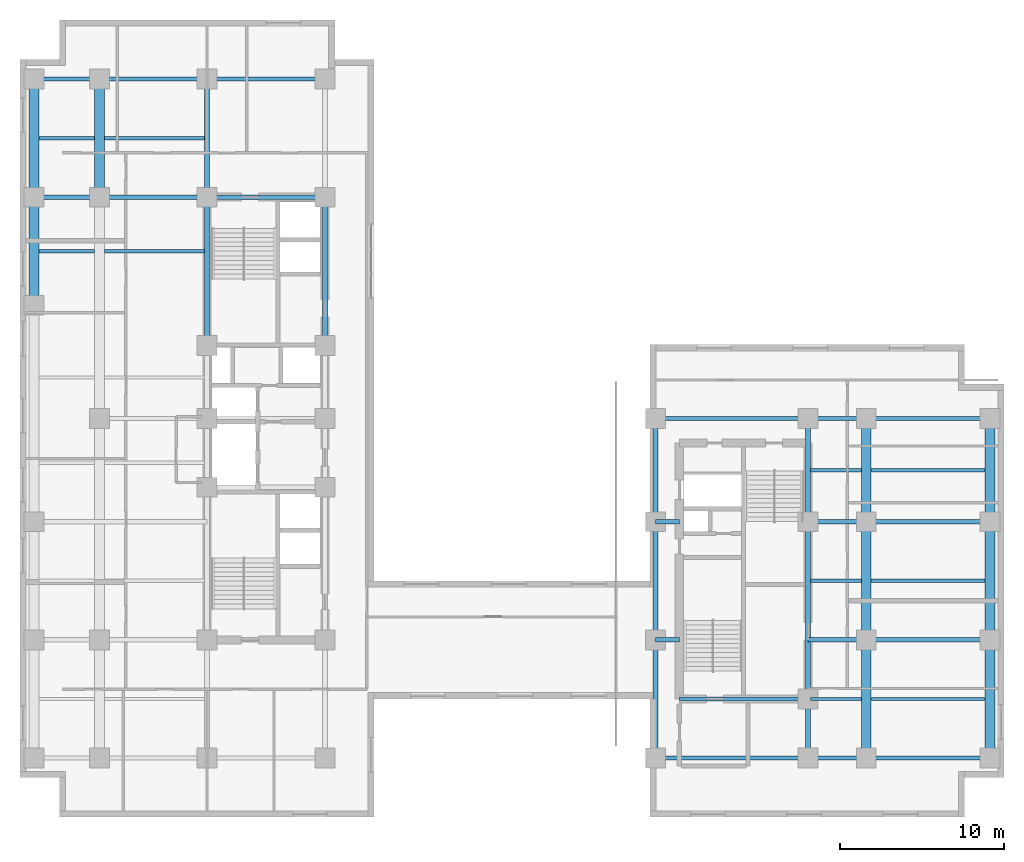
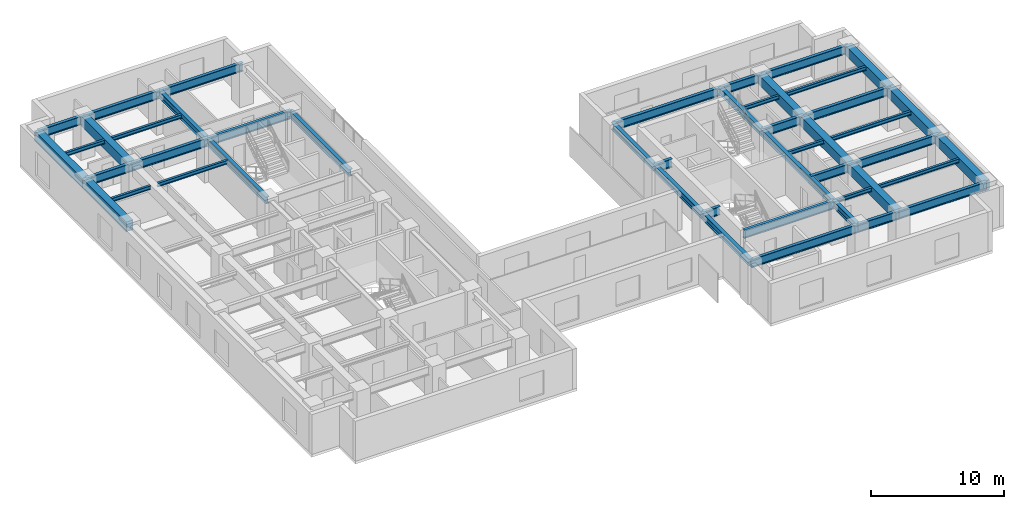
# One storey, part 3 of 11: 47 beams.
"""IFC4 building model written with IfcOpenShell, lengths in metres."""

from ifc_helpers import new_model, entity, si_unit, converted_unit, direction, frame, origin_with_axes, origin_2d_with_axis, place, context, subcontext, project, spatial, rectangle, i_section, extrude, material, material_profile, profile_set, type_object, element, save


model = new_model("IFC4")

# Units and contexts
model_context = context("Model", 3, precision=1e-05, world=origin_with_axes(), true_north=direction((0.0, 1.0)))
body_context = subcontext(model_context, "Body", "Model", "MODEL_VIEW")
ifc_project = project(units=[si_unit("LENGTHUNIT", "METRE"), si_unit("AREAUNIT", "SQUARE_METRE"), si_unit("VOLUMEUNIT", "CUBIC_METRE"), converted_unit("PLANEANGLEUNIT", "DEGREE", entity("IfcPlaneAngleMeasure", 0.017453292519943295), si_unit("PLANEANGLEUNIT", "RADIAN"), dimensions=[0, 0, 0, 0, 0, 0, 0]), si_unit("MASSUNIT", "GRAM", prefix="KILO"), si_unit("THERMODYNAMICTEMPERATUREUNIT", "KELVIN")], contexts=[model_context])

# Site, building, storey
site_placement = place(None, origin_with_axes())
site = spatial("IfcSite", under=ifc_project, at=site_placement, CompositionType="ELEMENT")
building_placement = place(site_placement, origin_with_axes())
building = spatial("IfcBuilding", under=site, at=building_placement, Name="Varnlund Millrace Tower", CompositionType="ELEMENT")
storey_placement = place(building_placement, frame((0.0, 0.0, 104.7), z_axis=(0.0, 0.0, 1.0), x_axis=(1.0, 0.0, 0.0)))
storey = spatial("IfcBuildingStorey", under=building, at=storey_placement, Name="L25", CompositionType="ELEMENT", Elevation=104.7)

# Beams
ifc_material_1 = material(Name="Steel ASTM A992 Grade 50", Category="steel")
ifc_material_profile_1 = material_profile(ifc_material_1, i_section(OverallWidth=0.328, OverallDepth=0.628, WebThickness=0.0165, FlangeThickness=0.0277, FilletRadius=0.018, at=origin_2d_with_axis()), Name="Steel ASTM A992 Grade 50")
ifc_profile_set_1 = profile_set([ifc_material_profile_1], Name="Steel ASTM A992 Grade 50")
beam_type_1 = type_object("IfcBeamType", Name="Type-Girder-W24X146", PredefinedType="USERDEFINED", material=ifc_profile_set_1)
beam_1_placement = place(storey_placement, frame((11.4, 28.75, 3.346), z_axis=(0.0, 1.0, 0.0), x_axis=(-1.0, 0.0, 0.0)))
element("IfcBeam", 1, at=beam_1_placement, inside=storey, type_object=beam_type_1, Name="Type-Girder-W24X146", ObjectType="GIRDER", PredefinedType="USERDEFINED", context=body_context, shape_type="SweptSolid", body=[
    extrude(i_section(OverallWidth=0.328, OverallDepth=0.628, WebThickness=0.0165, FlangeThickness=0.0277, FilletRadius=0.018, at=origin_2d_with_axis()), origin_with_axes(), (0.0, 0.0, 1.0), 9.05),
])
beam_2_placement = place(storey_placement, frame((11.4, 37.8, 3.346), z_axis=(0.0, 1.0, 0.0), x_axis=(-1.0, 0.0, 0.0)))
element("IfcBeam", 2, at=beam_2_placement, inside=storey, type_object=beam_type_1, Name="Type-Girder-W24X146", ObjectType="GIRDER", PredefinedType="USERDEFINED", context=body_context, shape_type="SweptSolid", body=[
    extrude(i_section(OverallWidth=0.328, OverallDepth=0.628, WebThickness=0.0165, FlangeThickness=0.0277, FilletRadius=0.018, at=origin_2d_with_axis()), origin_with_axes(), (0.0, 0.0, 1.0), 7.2),
])
beam_3_placement = place(storey_placement, frame((18.6, 28.75, 3.346), z_axis=(0.0, 1.0, 0.0), x_axis=(-1.0, 0.0, 0.0)))
element("IfcBeam", 3, at=beam_3_placement, inside=storey, type_object=beam_type_1, Name="Type-Girder-W24X146", ObjectType="GIRDER", PredefinedType="USERDEFINED", context=body_context, shape_type="SweptSolid", body=[
    extrude(i_section(OverallWidth=0.328, OverallDepth=0.628, WebThickness=0.0165, FlangeThickness=0.0277, FilletRadius=0.018, at=origin_2d_with_axis()), origin_with_axes(), (0.0, 0.0, 1.0), 9.05),
])
for number, where, z_axis, x_axis, name in (
    (4, (38.75, 3.6, 3.346), (0.0, 1.0, 0.0), (-1.0, 0.0, 0.0), "Type-Girder-W24X146"),
    (5, (38.75, 10.8, 3.346), (0.0, 1.0, 0.0), (-1.0, 0.0, 0.0), "Type-Girder-W24X146"),
):
    element("IfcBeam", number, at=place(storey_placement, frame(where, z_axis=z_axis, x_axis=x_axis)), inside=storey, type_object=beam_type_1, Name=name, ObjectType="GIRDER", PredefinedType="USERDEFINED", context=body_context, shape_type="SweptSolid", body=[
        extrude(i_section(OverallWidth=0.328, OverallDepth=0.628, WebThickness=0.0165, FlangeThickness=0.0277, FilletRadius=0.018, at=origin_2d_with_axis()), origin_with_axes(), (0.0, 0.0, 1.0), 7.2),
    ])
beam_4_placement = place(storey_placement, frame((38.75, 18.0, 3.346), z_axis=(0.0, 1.0, 0.0), x_axis=(-1.0, 0.0, 0.0)))
element("IfcBeam", 6, at=beam_4_placement, inside=storey, type_object=beam_type_1, Name="Type-Girder-W24X146", ObjectType="GIRDER", PredefinedType="USERDEFINED", context=body_context, shape_type="SweptSolid", body=[
    extrude(i_section(OverallWidth=0.328, OverallDepth=0.628, WebThickness=0.0165, FlangeThickness=0.0277, FilletRadius=0.018, at=origin_2d_with_axis()), origin_with_axes(), (0.0, 0.0, 1.0), 6.3),
])
beam_5_placement = place(storey_placement, frame((48.05, 3.6, 3.346), z_axis=(0.0, 1.0, 0.0), x_axis=(-1.0, 0.0, 0.0)))
element("IfcBeam", 7, at=beam_5_placement, inside=storey, type_object=beam_type_1, Name="Type-Girder-W24X146", ObjectType="GIRDER", PredefinedType="USERDEFINED", context=body_context, shape_type="SweptSolid", body=[
    extrude(i_section(OverallWidth=0.328, OverallDepth=0.628, WebThickness=0.0165, FlangeThickness=0.0277, FilletRadius=0.018, at=origin_2d_with_axis()), origin_with_axes(), (0.0, 0.0, 1.0), 3.6),
])
beam_6_placement = place(storey_placement, frame((48.05, 7.2, 3.346), z_axis=(0.0, 1.0, 0.0), x_axis=(-1.0, 0.0, 0.0)))
element("IfcBeam", 8, at=beam_6_placement, inside=storey, type_object=beam_type_1, Name="Type-Girder-W24X146", ObjectType="GIRDER", PredefinedType="USERDEFINED", context=body_context, shape_type="SweptSolid", body=[
    extrude(i_section(OverallWidth=0.328, OverallDepth=0.628, WebThickness=0.0165, FlangeThickness=0.0277, FilletRadius=0.018, at=origin_2d_with_axis()), origin_with_axes(), (0.0, 0.0, 1.0), 10.8),
])
beam_7_placement = place(storey_placement, frame((48.05, 18.0, 3.346), z_axis=(0.0, 1.0, 0.0), x_axis=(-1.0, 0.0, 0.0)))
element("IfcBeam", 9, at=beam_7_placement, inside=storey, type_object=beam_type_1, Name="Type-Girder-W24X146", ObjectType="GIRDER", PredefinedType="USERDEFINED", context=body_context, shape_type="SweptSolid", body=[
    extrude(i_section(OverallWidth=0.328, OverallDepth=0.628, WebThickness=0.0165, FlangeThickness=0.0277, FilletRadius=0.018, at=origin_2d_with_axis()), origin_with_axes(), (0.0, 0.0, 1.0), 6.3),
])
ifc_material_profile_2 = material_profile(ifc_material_1, i_section(OverallWidth=0.266, OverallDepth=0.779, WebThickness=0.0165, FlangeThickness=0.03, FilletRadius=0.02, at=origin_2d_with_axis()), Name="Steel ASTM A992 Grade 50")
ifc_profile_set_2 = profile_set([ifc_material_profile_2], Name="Steel ASTM A992 Grade 50")
beam_type_2 = type_object("IfcBeamType", Name="Type-Girder-W30X148", PredefinedType="USERDEFINED", material=ifc_profile_set_2)
beam_8_placement = place(storey_placement, frame((38.75, 3.6, 3.2705), z_axis=(1.0, 0.0, 0.0), x_axis=(0.0, 1.0, 0.0)))
element("IfcBeam", 10, at=beam_8_placement, inside=storey, type_object=beam_type_2, Name="Type-Girder-W30X148", ObjectType="GIRDER", PredefinedType="USERDEFINED", context=body_context, shape_type="SweptSolid", body=[
    extrude(i_section(OverallWidth=0.266, OverallDepth=0.779, WebThickness=0.0165, FlangeThickness=0.03, FilletRadius=0.02, at=origin_2d_with_axis()), origin_with_axes(), (0.0, 0.0, 1.0), 9.3),
])
beam_9_placement = place(storey_placement, frame((48.05, 3.6, 3.2705), z_axis=(1.0, 0.0, 0.0), x_axis=(0.0, 1.0, 0.0)))
element("IfcBeam", 11, at=beam_9_placement, inside=storey, type_object=beam_type_2, Name="Type-Girder-W30X148", ObjectType="GIRDER", PredefinedType="USERDEFINED", context=body_context, shape_type="SweptSolid", body=[
    extrude(i_section(OverallWidth=0.266, OverallDepth=0.779, WebThickness=0.0165, FlangeThickness=0.03, FilletRadius=0.02, at=origin_2d_with_axis()), origin_with_axes(), (0.0, 0.0, 1.0), 3.55),
])
beam_10_placement = place(storey_placement, frame((51.6, 3.6, 3.2705), z_axis=(1.0, 0.0, 0.0), x_axis=(0.0, 1.0, 0.0)))
element("IfcBeam", 12, at=beam_10_placement, inside=storey, type_object=beam_type_2, Name="Type-Girder-W30X148", ObjectType="GIRDER", PredefinedType="USERDEFINED", context=body_context, shape_type="SweptSolid", body=[
    extrude(i_section(OverallWidth=0.266, OverallDepth=0.779, WebThickness=0.0165, FlangeThickness=0.03, FilletRadius=0.02, at=origin_2d_with_axis()), origin_with_axes(), (0.0, 0.0, 1.0), 7.55),
])
beam_11_placement = place(storey_placement, frame((40.2, 7.2, 3.2705), z_axis=(1.0, 0.0, 0.0), x_axis=(0.0, 1.0, 0.0)))
element("IfcBeam", 13, at=beam_11_placement, inside=storey, type_object=beam_type_2, Name="Type-Girder-W30X148", ObjectType="GIRDER", PredefinedType="USERDEFINED", context=body_context, shape_type="SweptSolid", body=[
    extrude(i_section(OverallWidth=0.266, OverallDepth=0.779, WebThickness=0.0165, FlangeThickness=0.03, FilletRadius=0.02, at=origin_2d_with_axis()), origin_with_axes(), (0.0, 0.0, 1.0), 7.85),
])
beam_12_placement = place(storey_placement, frame((38.75, 10.8, 3.2705), z_axis=(1.0, 0.0, 0.0), x_axis=(0.0, 1.0, 0.0)))
element("IfcBeam", 14, at=beam_12_placement, inside=storey, type_object=beam_type_2, Name="Type-Girder-W30X148", ObjectType="GIRDER", PredefinedType="USERDEFINED", context=body_context, shape_type="SweptSolid", body=[
    extrude(i_section(OverallWidth=0.266, OverallDepth=0.779, WebThickness=0.0165, FlangeThickness=0.03, FilletRadius=0.02, at=origin_2d_with_axis()), origin_with_axes(), (0.0, 0.0, 1.0), 1.45),
])
beam_13_placement = place(storey_placement, frame((48.05, 10.8, 3.2705), z_axis=(1.0, 0.0, 0.0), x_axis=(0.0, 1.0, 0.0)))
element("IfcBeam", 15, at=beam_13_placement, inside=storey, type_object=beam_type_2, Name="Type-Girder-W30X148", ObjectType="GIRDER", PredefinedType="USERDEFINED", context=body_context, shape_type="SweptSolid", body=[
    extrude(i_section(OverallWidth=0.266, OverallDepth=0.779, WebThickness=0.0165, FlangeThickness=0.03, FilletRadius=0.02, at=origin_2d_with_axis()), origin_with_axes(), (0.0, 0.0, 1.0), 3.55),
])
beam_14_placement = place(storey_placement, frame((51.6, 10.8, 3.2705), z_axis=(1.0, 0.0, 0.0), x_axis=(0.0, 1.0, 0.0)))
element("IfcBeam", 16, at=beam_14_placement, inside=storey, type_object=beam_type_2, Name="Type-Girder-W30X148", ObjectType="GIRDER", PredefinedType="USERDEFINED", context=body_context, shape_type="SweptSolid", body=[
    extrude(i_section(OverallWidth=0.266, OverallDepth=0.779, WebThickness=0.0165, FlangeThickness=0.03, FilletRadius=0.02, at=origin_2d_with_axis()), origin_with_axes(), (0.0, 0.0, 1.0), 7.55),
])
beam_15_placement = place(storey_placement, frame((38.75, 18.0, 3.2705), z_axis=(1.0, 0.0, 0.0), x_axis=(0.0, 1.0, 0.0)))
element("IfcBeam", 17, at=beam_15_placement, inside=storey, type_object=beam_type_2, Name="Type-Girder-W30X148", ObjectType="GIRDER", PredefinedType="USERDEFINED", context=body_context, shape_type="SweptSolid", body=[
    extrude(i_section(OverallWidth=0.266, OverallDepth=0.779, WebThickness=0.0165, FlangeThickness=0.03, FilletRadius=0.02, at=origin_2d_with_axis()), origin_with_axes(), (0.0, 0.0, 1.0), 1.45),
])
beam_16_placement = place(storey_placement, frame((48.05, 18.0, 3.2705), z_axis=(1.0, 0.0, 0.0), x_axis=(0.0, 1.0, 0.0)))
element("IfcBeam", 18, at=beam_16_placement, inside=storey, type_object=beam_type_2, Name="Type-Girder-W30X148", ObjectType="GIRDER", PredefinedType="USERDEFINED", context=body_context, shape_type="SweptSolid", body=[
    extrude(i_section(OverallWidth=0.266, OverallDepth=0.779, WebThickness=0.0165, FlangeThickness=0.03, FilletRadius=0.02, at=origin_2d_with_axis()), origin_with_axes(), (0.0, 0.0, 1.0), 3.55),
])
beam_17_placement = place(storey_placement, frame((51.6, 18.0, 3.2705), z_axis=(1.0, 0.0, 0.0), x_axis=(0.0, 1.0, 0.0)))
element("IfcBeam", 19, at=beam_17_placement, inside=storey, type_object=beam_type_2, Name="Type-Girder-W30X148", ObjectType="GIRDER", PredefinedType="USERDEFINED", context=body_context, shape_type="SweptSolid", body=[
    extrude(i_section(OverallWidth=0.266, OverallDepth=0.779, WebThickness=0.0165, FlangeThickness=0.03, FilletRadius=0.02, at=origin_2d_with_axis()), origin_with_axes(), (0.0, 0.0, 1.0), 7.55),
])
beam_18_placement = place(storey_placement, frame((38.75, 24.3, 3.2705), z_axis=(1.0, 0.0, 0.0), x_axis=(0.0, 1.0, 0.0)))
element("IfcBeam", 20, at=beam_18_placement, inside=storey, type_object=beam_type_2, Name="Type-Girder-W30X148", ObjectType="GIRDER", PredefinedType="USERDEFINED", context=body_context, shape_type="SweptSolid", body=[
    extrude(i_section(OverallWidth=0.266, OverallDepth=0.779, WebThickness=0.0165, FlangeThickness=0.03, FilletRadius=0.02, at=origin_2d_with_axis()), origin_with_axes(), (0.0, 0.0, 1.0), 9.3),
])
beam_19_placement = place(storey_placement, frame((48.05, 24.3, 3.2705), z_axis=(1.0, 0.0, 0.0), x_axis=(0.0, 1.0, 0.0)))
element("IfcBeam", 21, at=beam_19_placement, inside=storey, type_object=beam_type_2, Name="Type-Girder-W30X148", ObjectType="GIRDER", PredefinedType="USERDEFINED", context=body_context, shape_type="SweptSolid", body=[
    extrude(i_section(OverallWidth=0.266, OverallDepth=0.779, WebThickness=0.0165, FlangeThickness=0.03, FilletRadius=0.02, at=origin_2d_with_axis()), origin_with_axes(), (0.0, 0.0, 1.0), 3.55),
])
beam_20_placement = place(storey_placement, frame((51.6, 24.3, 3.2705), z_axis=(1.0, 0.0, 0.0), x_axis=(0.0, 1.0, 0.0)))
element("IfcBeam", 22, at=beam_20_placement, inside=storey, type_object=beam_type_2, Name="Type-Girder-W30X148", ObjectType="GIRDER", PredefinedType="USERDEFINED", context=body_context, shape_type="SweptSolid", body=[
    extrude(i_section(OverallWidth=0.266, OverallDepth=0.779, WebThickness=0.0165, FlangeThickness=0.03, FilletRadius=0.02, at=origin_2d_with_axis()), origin_with_axes(), (0.0, 0.0, 1.0), 7.55),
])
beam_21_placement = place(storey_placement, frame((0.85, 37.8, 3.2705), z_axis=(1.0, 0.0, 0.0), x_axis=(0.0, 1.0, 0.0)))
element("IfcBeam", 23, at=beam_21_placement, inside=storey, type_object=beam_type_2, Name="Type-Girder-W30X148", ObjectType="GIRDER", PredefinedType="USERDEFINED", context=body_context, shape_type="SweptSolid", body=[
    extrude(i_section(OverallWidth=0.266, OverallDepth=0.779, WebThickness=0.0165, FlangeThickness=0.03, FilletRadius=0.02, at=origin_2d_with_axis()), origin_with_axes(), (0.0, 0.0, 1.0), 4.0),
])
beam_22_placement = place(storey_placement, frame((4.85, 37.8, 3.2705), z_axis=(1.0, 0.0, 0.0), x_axis=(0.0, 1.0, 0.0)))
element("IfcBeam", 24, at=beam_22_placement, inside=storey, type_object=beam_type_2, Name="Type-Girder-W30X148", ObjectType="GIRDER", PredefinedType="USERDEFINED", context=body_context, shape_type="SweptSolid", body=[
    extrude(i_section(OverallWidth=0.266, OverallDepth=0.779, WebThickness=0.0165, FlangeThickness=0.03, FilletRadius=0.02, at=origin_2d_with_axis()), origin_with_axes(), (0.0, 0.0, 1.0), 6.55),
])
beam_23_placement = place(storey_placement, frame((11.4, 37.8, 3.2705), z_axis=(1.0, 0.0, 0.0), x_axis=(0.0, 1.0, 0.0)))
element("IfcBeam", 25, at=beam_23_placement, inside=storey, type_object=beam_type_2, Name="Type-Girder-W30X148", ObjectType="GIRDER", PredefinedType="USERDEFINED", context=body_context, shape_type="SweptSolid", body=[
    extrude(i_section(OverallWidth=0.266, OverallDepth=0.779, WebThickness=0.0165, FlangeThickness=0.03, FilletRadius=0.02, at=origin_2d_with_axis()), origin_with_axes(), (0.0, 0.0, 1.0), 7.2),
])
beam_24_placement = place(storey_placement, frame((0.85, 45.0, 3.2705), z_axis=(1.0, 0.0, 0.0), x_axis=(0.0, 1.0, 0.0)))
element("IfcBeam", 26, at=beam_24_placement, inside=storey, type_object=beam_type_2, Name="Type-Girder-W30X148", ObjectType="GIRDER", PredefinedType="USERDEFINED", context=body_context, shape_type="SweptSolid", body=[
    extrude(i_section(OverallWidth=0.266, OverallDepth=0.779, WebThickness=0.0165, FlangeThickness=0.03, FilletRadius=0.02, at=origin_2d_with_axis()), origin_with_axes(), (0.0, 0.0, 1.0), 4.0),
])
beam_25_placement = place(storey_placement, frame((4.85, 45.0, 3.2705), z_axis=(1.0, 0.0, 0.0), x_axis=(0.0, 1.0, 0.0)))
element("IfcBeam", 27, at=beam_25_placement, inside=storey, type_object=beam_type_2, Name="Type-Girder-W30X148", ObjectType="GIRDER", PredefinedType="USERDEFINED", context=body_context, shape_type="SweptSolid", body=[
    extrude(i_section(OverallWidth=0.266, OverallDepth=0.779, WebThickness=0.0165, FlangeThickness=0.03, FilletRadius=0.02, at=origin_2d_with_axis()), origin_with_axes(), (0.0, 0.0, 1.0), 6.55),
])
beam_26_placement = place(storey_placement, frame((11.4, 45.0, 3.2705), z_axis=(1.0, 0.0, 0.0), x_axis=(0.0, 1.0, 0.0)))
element("IfcBeam", 28, at=beam_26_placement, inside=storey, type_object=beam_type_2, Name="Type-Girder-W30X148", ObjectType="GIRDER", PredefinedType="USERDEFINED", context=body_context, shape_type="SweptSolid", body=[
    extrude(i_section(OverallWidth=0.266, OverallDepth=0.779, WebThickness=0.0165, FlangeThickness=0.03, FilletRadius=0.02, at=origin_2d_with_axis()), origin_with_axes(), (0.0, 0.0, 1.0), 7.2),
])
ifc_material_profile_3 = material_profile(ifc_material_1, i_section(OverallWidth=0.204, OverallDepth=0.35, WebThickness=0.0086, FlangeThickness=0.0151, FilletRadius=0.013, at=origin_2d_with_axis()), Name="Steel ASTM A992 Grade 50")
ifc_profile_set_3 = profile_set([ifc_material_profile_3], Name="Steel ASTM A992 Grade 50")
beam_type_3 = type_object("IfcBeamType", Name="Type-Joist-W14X48", PredefinedType="JOIST", material=ifc_profile_set_3)
for number, where, z_axis, x_axis, name in (
    (29, (1.15, 34.5, 3.485), (1.0, 0.0, 0.0), (0.0, 1.0, 0.0), "Type-Joist-W14X48"),
    (30, (1.15, 41.4, 3.485), (1.0, 0.0, 0.0), (0.0, 1.0, 0.0), "Type-Joist-W14X48"),
):
    element("IfcBeam", number, at=place(storey_placement, frame(where, z_axis=z_axis, x_axis=x_axis)), inside=storey, type_object=beam_type_3, Name=name, PredefinedType="JOIST", context=body_context, shape_type="SweptSolid", body=[
        extrude(i_section(OverallWidth=0.204, OverallDepth=0.35, WebThickness=0.0086, FlangeThickness=0.0151, FilletRadius=0.013, at=origin_2d_with_axis()), origin_with_axes(), (0.0, 0.0, 1.0), 3.4),
    ])
for number, where, z_axis, x_axis, name in (
    (31, (5.15, 34.5, 3.485), (1.0, 0.0, 0.0), (0.0, 1.0, 0.0), "Type-Joist-W14X48"),
    (32, (5.15, 41.4, 3.485), (1.0, 0.0, 0.0), (0.0, 1.0, 0.0), "Type-Joist-W14X48"),
):
    element("IfcBeam", number, at=place(storey_placement, frame(where, z_axis=z_axis, x_axis=x_axis)), inside=storey, type_object=beam_type_3, Name=name, PredefinedType="JOIST", context=body_context, shape_type="SweptSolid", body=[
        extrude(i_section(OverallWidth=0.204, OverallDepth=0.35, WebThickness=0.0086, FlangeThickness=0.0151, FilletRadius=0.013, at=origin_2d_with_axis()), origin_with_axes(), (0.0, 0.0, 1.0), 6.086),
    ])
for number, where, z_axis, x_axis, name in (
    (33, (48.214, 7.2, 3.485), (1.0, 0.0, 0.0), (0.0, 1.0, 0.0), "Type-Joist-W14X48"),
    (34, (48.214, 14.4, 3.485), (1.0, 0.0, 0.0), (0.0, 1.0, 0.0), "Type-Joist-W14X48"),
    (35, (48.214, 21.15, 3.485), (1.0, 0.0, 0.0), (0.0, 1.0, 0.0), "Type-Joist-W14X48"),
):
    element("IfcBeam", number, at=place(storey_placement, frame(where, z_axis=z_axis, x_axis=x_axis)), inside=storey, type_object=beam_type_3, Name=name, PredefinedType="JOIST", context=body_context, shape_type="SweptSolid", body=[
        extrude(i_section(OverallWidth=0.204, OverallDepth=0.35, WebThickness=0.0086, FlangeThickness=0.0151, FilletRadius=0.013, at=origin_2d_with_axis()), origin_with_axes(), (0.0, 0.0, 1.0), 3.086),
    ])
for number, where, z_axis, x_axis, name in (
    (36, (51.9, 7.2, 3.485), (1.0, 0.0, 0.0), (0.0, 1.0, 0.0), "Type-Joist-W14X48"),
    (37, (51.9, 14.4, 3.485), (1.0, 0.0, 0.0), (0.0, 1.0, 0.0), "Type-Joist-W14X48"),
    (38, (51.9, 21.15, 3.485), (1.0, 0.0, 0.0), (0.0, 1.0, 0.0), "Type-Joist-W14X48"),
):
    element("IfcBeam", number, at=place(storey_placement, frame(where, z_axis=z_axis, x_axis=x_axis)), inside=storey, type_object=beam_type_3, Name=name, PredefinedType="JOIST", context=body_context, shape_type="SweptSolid", body=[
        extrude(i_section(OverallWidth=0.204, OverallDepth=0.35, WebThickness=0.0086, FlangeThickness=0.0151, FilletRadius=0.013, at=origin_2d_with_axis()), origin_with_axes(), (0.0, 0.0, 1.0), 6.95),
    ])
ifc_material_2 = material(Name="Concrete C70/85", Category="concrete")
ifc_material_profile_4 = material_profile(ifc_material_2, rectangle(XDim=0.6, YDim=0.9, at=origin_2d_with_axis()), Name="Concrete C70/85")
ifc_profile_set_4 = profile_set([ifc_material_profile_4], Name="Concrete C70/85")
beam_type_4 = type_object("IfcBeamType", Name="Type-Spandrel-RC600X900", PredefinedType="SPANDREL", material=ifc_profile_set_4)
beam_27_placement = place(storey_placement, frame((0.85, 31.2, 3.21), z_axis=(0.0, 1.0, 0.0), x_axis=(-1.0, 0.0, 0.0)))
element("IfcBeam", 39, at=beam_27_placement, inside=storey, type_object=beam_type_4, Name="Type-Spandrel-RC600X900", PredefinedType="SPANDREL", context=body_context, shape_type="SweptSolid", body=[
    extrude(rectangle(XDim=0.6, YDim=0.9, at=origin_2d_with_axis()), origin_with_axes(), (0.0, 0.0, 1.0), 6.6),
])
for number, where, z_axis, x_axis, name in (
    (40, (0.85, 37.8, 3.21), (0.0, 1.0, 0.0), (-1.0, 0.0, 0.0), "Type-Spandrel-RC600X900"),
    (41, (4.85, 37.8, 3.21), (0.0, 1.0, 0.0), (-1.0, 0.0, 0.0), "Type-Spandrel-RC600X900"),
    (42, (51.6, 3.6, 3.21), (0.0, 1.0, 0.0), (-1.0, 0.0, 0.0), "Type-Spandrel-RC600X900"),
    (43, (51.6, 10.8, 3.21), (0.0, 1.0, 0.0), (-1.0, 0.0, 0.0), "Type-Spandrel-RC600X900"),
):
    element("IfcBeam", number, at=place(storey_placement, frame(where, z_axis=z_axis, x_axis=x_axis)), inside=storey, type_object=beam_type_4, Name=name, PredefinedType="SPANDREL", context=body_context, shape_type="SweptSolid", body=[
        extrude(rectangle(XDim=0.6, YDim=0.9, at=origin_2d_with_axis()), origin_with_axes(), (0.0, 0.0, 1.0), 7.2),
    ])
beam_28_placement = place(storey_placement, frame((51.6, 18.0, 3.21), z_axis=(0.0, 1.0, 0.0), x_axis=(-1.0, 0.0, 0.0)))
element("IfcBeam", 44, at=beam_28_placement, inside=storey, type_object=beam_type_4, Name="Type-Spandrel-RC600X900", PredefinedType="SPANDREL", context=body_context, shape_type="SweptSolid", body=[
    extrude(rectangle(XDim=0.6, YDim=0.9, at=origin_2d_with_axis()), origin_with_axes(), (0.0, 0.0, 1.0), 6.3),
])
for number, where, z_axis, x_axis, name in (
    (45, (59.15, 3.6, 3.21), (0.0, 1.0, 0.0), (-1.0, 0.0, 0.0), "Type-Spandrel-RC600X900"),
    (46, (59.15, 10.8, 3.21), (0.0, 1.0, 0.0), (-1.0, 0.0, 0.0), "Type-Spandrel-RC600X900"),
):
    element("IfcBeam", number, at=place(storey_placement, frame(where, z_axis=z_axis, x_axis=x_axis)), inside=storey, type_object=beam_type_4, Name=name, PredefinedType="SPANDREL", context=body_context, shape_type="SweptSolid", body=[
        extrude(rectangle(XDim=0.6, YDim=0.9, at=origin_2d_with_axis()), origin_with_axes(), (0.0, 0.0, 1.0), 7.2),
    ])
beam_29_placement = place(storey_placement, frame((59.15, 18.0, 3.21), z_axis=(0.0, 1.0, 0.0), x_axis=(-1.0, 0.0, 0.0)))
element("IfcBeam", 47, at=beam_29_placement, inside=storey, type_object=beam_type_4, Name="Type-Spandrel-RC600X900", PredefinedType="SPANDREL", context=body_context, shape_type="SweptSolid", body=[
    extrude(rectangle(XDim=0.6, YDim=0.9, at=origin_2d_with_axis()), origin_with_axes(), (0.0, 0.0, 1.0), 6.3),
])

save(model, "model.ifc")
